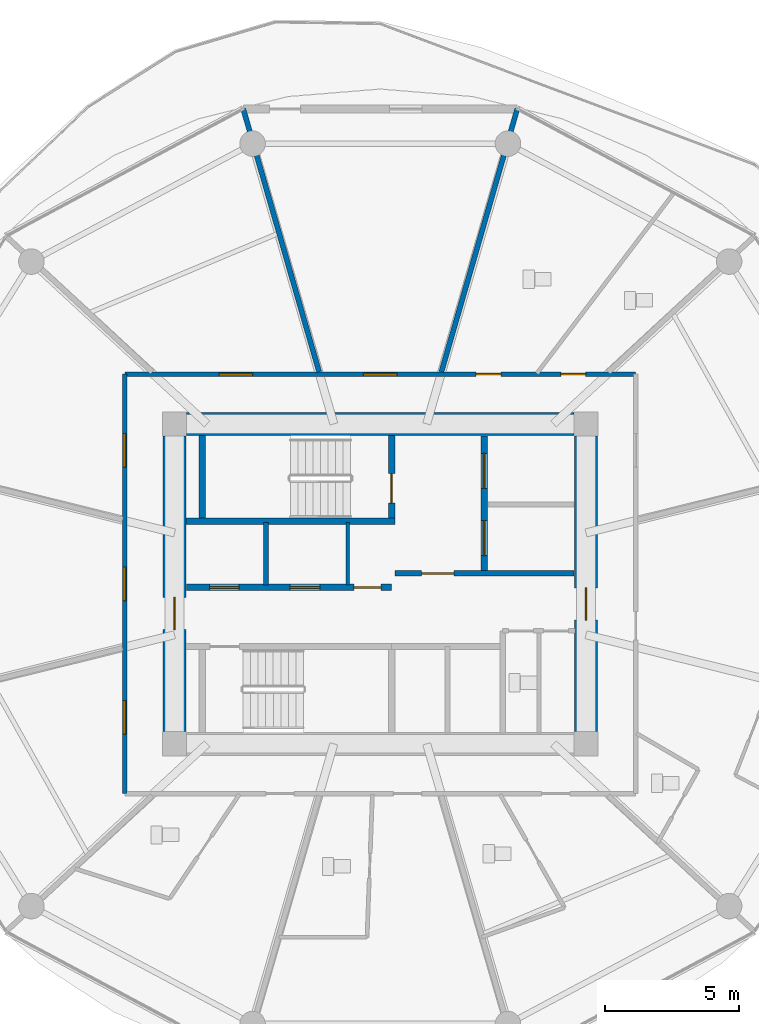
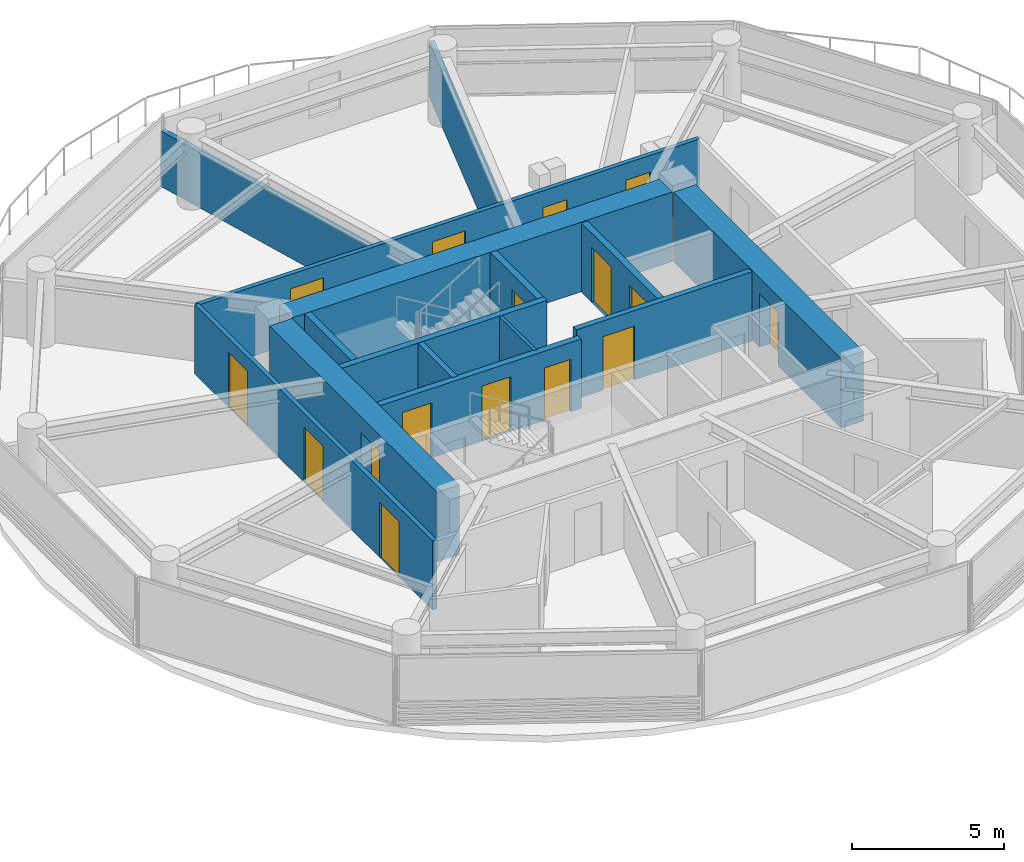
# One storey, part 19 of 27: 16 doors, 15 walls, 16 openings.
"""IFC4 building model written with IfcOpenShell, lengths in metres."""

from ifc_helpers import new_model, si_unit, direction, frame, frame_2d, origin, place, context, subcontext, project, spatial, rectangle, extrude, source, transform, mapped, material, layer, layer_set, type_object, type_shapes, element, fill, save


model = new_model("IFC4")

# Units and contexts
model_context = context("Model", 3, precision=1e-05, world=origin(), true_north=direction((0.0, 1.0)))
body_context = subcontext(model_context, "Body", "Model", "MODEL_VIEW")
ifc_project = project(units=[si_unit("LENGTHUNIT", "METRE"), si_unit("AREAUNIT", "SQUARE_METRE"), si_unit("VOLUMEUNIT", "CUBIC_METRE"), si_unit("PLANEANGLEUNIT", "RADIAN"), si_unit("MASSUNIT", "GRAM", prefix="KILO")], contexts=[model_context])

# Site, building, storey
site_placement = place(None, origin())
site = spatial("IfcSite", under=ifc_project, at=site_placement, CompositionType="ELEMENT")
building_placement = place(site_placement, origin())
building = spatial("IfcBuilding", under=site, at=building_placement, Name="Norrkilde Senior Care Towers", CompositionType="ELEMENT")
storey_placement = place(building_placement, frame((0.0, 0.0, 52.10009765625)))
storey = spatial("IfcBuildingStorey", under=building, at=storey_placement, Name="L15", CompositionType="ELEMENT", Elevation=52.10009765625)

# Wall
ifc_material_1 = material(Name="Concrete C60/75", Category="concrete")
ifc_layer_1 = layer(ifc_material_1, 0.85009765625)
ifc_layer_set_1 = layer_set([ifc_layer_1], Name="Concrete C60/75")
wall_type_1 = type_object("IfcWallType", Name="Core Shear Wall Z1 850", PredefinedType="SHEAR", material=ifc_layer_set_1)
shared_shape_1 = source(origin(), body_context, "Body", "SweptSolid", [
    extrude(rectangle(XDim=14.39990234375, YDim=0.85009765625, at=frame_2d((7.199951171875, 0.0))), origin(), (0.0, 0.0, 1.0), 2.789794921875),
])
wall_1_placement = place(storey_placement, frame((20.800048828125, 5.949951171875, 0.0), z_axis=(0.0, 0.0, 1.0), x_axis=(1.0, 0.0, 0.0)))
element("IfcWall", 1, at=wall_1_placement, inside=storey, type_object=wall_type_1, Name="L15 Core E North Shear Wall", PredefinedType="SHEAR", context=body_context, shape_type="MappedRepresentation", body=[
    mapped(shared_shape_1, transform((0.0, 0.0, 0.0), x_axis=(1.0, 0.0, 0.0), y_axis=(0.0, 1.0, 0.0), z_axis=(0.0, 0.0, 1.0), scale=1.0)),
])

# Wall, opening, door
shared_shape_2 = source(origin(), body_context, "Body", "SweptSolid", [
    extrude(rectangle(XDim=11.0, YDim=0.85009765625, at=frame_2d((5.5, 0.0))), origin(), (0.0, 0.0, 1.0), 2.789794921875),
])
type_shapes(wall_type_1, [shared_shape_1, shared_shape_2])
wall_2_placement = place(storey_placement, frame((20.35009765625, -5.5, 0.0), z_axis=(0.0, 0.0, 1.0), x_axis=(0.0, 1.0, 0.0)))
wall_2 = element("IfcWall", 2, at=wall_2_placement, inside=storey, type_object=wall_type_1, Name="L15 Core E West Shear Wall", PredefinedType="SHEAR", context=body_context, shape_type="MappedRepresentation", body=[
    mapped(shared_shape_2, transform((0.0, 0.0, 0.0), x_axis=(1.0, 0.0, 0.0), y_axis=(0.0, 1.0, 0.0), z_axis=(0.0, 0.0, 1.0), scale=1.0)),
])
opening_1_placement = place(wall_2_placement, frame((3.800048828125, 0.0, 0.0)))
opening_1 = element("IfcOpeningElement", 3, at=opening_1_placement, cuts=wall_2, Name="Opening D-04", PredefinedType="OPENING", context=body_context, shape_type="SweptSolid", body=[
    extrude(rectangle(XDim=1.199951171875, YDim=2.14990234375, at=frame_2d((0.60009765625, 1.074951171875))), frame((0.0, 0.43505859375, 0.0), z_axis=(0.0, -1.0, 0.0), x_axis=(1.0, 0.0, 0.0)), (0.0, 0.0, 1.0), 0.8701171875),
])
ifc_material_2 = material(Name="Galvanised Painted Steel", Category="steel")
door_type_1 = type_object("IfcDoorType", Name="Firefighting Lobby Fire Door 1200x2150", OperationType="NOTDEFINED", PredefinedType="DOOR", material=ifc_material_2)
shared_shape_3 = source(origin(), body_context, "Body", "SweptSolid", [
    extrude(rectangle(XDim=1.199951171875, YDim=2.14990234375, at=frame_2d((0.60009765625, 1.074951171875))), frame((0.0, 0.02490234375, 0.0), z_axis=(0.0, -1.0, 0.0), x_axis=(1.0, 0.0, 0.0)), (0.0, 0.0, 1.0), 0.050048828125),
])
type_shapes(door_type_1, [shared_shape_3])
door_1_placement = place(opening_1_placement, frame((1.199951171875, 0.0, 0.0), z_axis=(0.0, 0.0, 1.0), x_axis=(-1.0, 0.0, 0.0)))
door_1 = element("IfcDoor", 4, at=door_1_placement, inside=storey, type_object=door_type_1, Name="L15 Core E West Portal Door", OperationType="SINGLE_SWING_LEFT", OverallHeight=2.14990234375, OverallWidth=1.199951171875, PredefinedType="DOOR", context=body_context, shape_type="MappedRepresentation", body=[
    mapped(shared_shape_3, transform((0.0, 0.0, 0.0), x_axis=(1.0, 0.0, 0.0), y_axis=(0.0, 1.0, 0.0), z_axis=(0.0, 0.0, 1.0), scale=1.0)),
])
fill(opening_1, door_1)

wall_3_placement = place(storey_placement, frame((35.64990234375, 5.5, 0.0), z_axis=(0.0, 0.0, 1.0), x_axis=(0.0, -1.0, 0.0)))
wall_3 = element("IfcWall", 5, at=wall_3_placement, inside=storey, type_object=wall_type_1, Name="L15 Core E East Shear Wall", PredefinedType="SHEAR", context=body_context, shape_type="MappedRepresentation", body=[
    mapped(shared_shape_2, transform((0.0, 0.0, 0.0), x_axis=(1.0, 0.0, 0.0), y_axis=(0.0, 1.0, 0.0), z_axis=(0.0, 0.0, 1.0), scale=1.0)),
])
opening_2_placement = place(wall_3_placement, frame((5.64990234375, 0.0, 0.0)))
opening_2 = element("IfcOpeningElement", 6, at=opening_2_placement, cuts=wall_3, Name="Opening D-04", PredefinedType="OPENING", context=body_context, shape_type="SweptSolid", body=[
    extrude(rectangle(XDim=1.199951171875, YDim=2.14990234375, at=frame_2d((0.60009765625, 1.074951171875))), frame((0.0, 0.43505859375, 0.0), z_axis=(0.0, -1.0, 0.0), x_axis=(1.0, 0.0, 0.0)), (0.0, 0.0, 1.0), 0.8701171875),
])
door_2_placement = place(opening_2_placement, frame((1.199951171875, 0.0, 0.0), z_axis=(0.0, 0.0, 1.0), x_axis=(-1.0, 0.0, 0.0)))
door_2 = element("IfcDoor", 7, at=door_2_placement, inside=storey, type_object=door_type_1, Name="L15 Core E East Portal Door", OperationType="SINGLE_SWING_RIGHT", OverallHeight=2.14990234375, OverallWidth=1.199951171875, PredefinedType="DOOR", context=body_context, shape_type="MappedRepresentation", body=[
    mapped(shared_shape_3, transform((0.0, 0.0, 0.0), x_axis=(1.0, 0.0, 0.0), y_axis=(0.0, 1.0, 0.0), z_axis=(0.0, 0.0, 1.0), scale=1.0)),
])
fill(opening_2, door_2)

# Walls
ifc_material_3 = material(Name="Concrete C45/55", Category="concrete")
ifc_layer_2 = layer(ifc_material_3, 0.239990234375)
ifc_layer_set_2 = layer_set([ifc_layer_2], Name="Concrete C45/55")
wall_type_2 = type_object("IfcWallType", Name="Shaft and Stair Enclosure Wall 240", PredefinedType="PARTITIONING", material=ifc_layer_set_2)
shared_shape_4 = source(origin(), body_context, "Body", "SweptSolid", [
    extrude(rectangle(XDim=7.76513671875, YDim=0.239990234375, at=frame_2d((3.882568359375, 0.0))), origin(), (0.0, 0.0, 1.0), 2.789794921875),
])
wall_4_placement = place(storey_placement, frame((20.77490234375, 2.330078125, 0.0), z_axis=(0.0, 0.0, 1.0), x_axis=(1.0, 0.0, 0.0)))
element("IfcWall", 8, at=wall_4_placement, inside=storey, type_object=wall_type_2, Name="WL-INT-L15-E-ST1S", PredefinedType="PARTITIONING", context=body_context, shape_type="MappedRepresentation", body=[
    mapped(shared_shape_4, transform((0.0, 0.0, 0.0), x_axis=(1.0, 0.0, 0.0), y_axis=(0.0, 1.0, 0.0), z_axis=(0.0, 0.0, 1.0), scale=1.0)),
])
shared_shape_5 = source(origin(), body_context, "Body", "SweptSolid", [
    extrude(rectangle(XDim=3.074951171875, YDim=0.239990234375, at=frame_2d((1.53759765625, 0.0))), origin(), (0.0, 0.0, 1.0), 2.789794921875),
])
type_shapes(wall_type_2, [shared_shape_4, shared_shape_5])
wall_5_placement = place(storey_placement, frame((21.3798828125, 2.449951171875, 0.0), z_axis=(0.0, 0.0, 1.0), x_axis=(0.0, 1.0, 0.0)))
element("IfcWall", 9, at=wall_5_placement, inside=storey, type_object=wall_type_2, Name="WL-INT-L15-E-ST1W", PredefinedType="PARTITIONING", context=body_context, shape_type="MappedRepresentation", body=[
    mapped(shared_shape_5, transform((0.0, 0.0, 0.0), x_axis=(1.0, 0.0, 0.0), y_axis=(0.0, 1.0, 0.0), z_axis=(0.0, 0.0, 1.0), scale=1.0)),
])

# Wall, opening, door
wall_6_placement = place(storey_placement, frame((28.419921875, 2.449951171875, 0.0), z_axis=(0.0, 0.0, 1.0), x_axis=(0.0, 1.0, 0.0)))
wall_6 = element("IfcWall", 10, at=wall_6_placement, inside=storey, type_object=wall_type_2, Name="WL-INT-L15-E-ST1E", PredefinedType="PARTITIONING", context=body_context, shape_type="MappedRepresentation", body=[
    mapped(shared_shape_5, transform((0.0, 0.0, 0.0), x_axis=(1.0, 0.0, 0.0), y_axis=(0.0, 1.0, 0.0), z_axis=(0.0, 0.0, 1.0), scale=1.0)),
])
opening_3_placement = place(wall_6_placement, frame((0.550048828125, 0.0, 0.0)))
opening_3 = element("IfcOpeningElement", 11, at=opening_3_placement, cuts=wall_6, Name="Opening D-03", PredefinedType="OPENING", context=body_context, shape_type="SweptSolid", body=[
    extrude(rectangle(XDim=1.10009765625, YDim=2.14990234375, at=frame_2d((0.550048828125, 1.074951171875))), frame((0.0, 0.1298828125, 0.0), z_axis=(0.0, -1.0, 0.0), x_axis=(1.0, 0.0, 0.0)), (0.0, 0.0, 1.0), 0.260009765625),
])
door_type_2 = type_object("IfcDoorType", Name="Stairwell Protected Fire Door 1100x2150", OperationType="NOTDEFINED", PredefinedType="DOOR", material=ifc_material_2)
shared_shape_6 = source(origin(), body_context, "Body", "SweptSolid", [
    extrude(rectangle(XDim=1.10009765625, YDim=2.14990234375, at=frame_2d((0.550048828125, 1.074951171875))), frame((0.0, 0.02490234375, 0.0), z_axis=(0.0, -1.0, 0.0), x_axis=(1.0, 0.0, 0.0)), (0.0, 0.0, 1.0), 0.050048828125),
])
type_shapes(door_type_2, [shared_shape_6])
door_3_placement = place(opening_3_placement, origin())
door_3 = element("IfcDoor", 12, at=door_3_placement, inside=storey, type_object=door_type_2, Name="L15 Stair E1 Fire Door", OperationType="SINGLE_SWING_LEFT", OverallHeight=2.14990234375, OverallWidth=1.10009765625, PredefinedType="DOOR", context=body_context, shape_type="MappedRepresentation", body=[
    mapped(shared_shape_6, transform((0.0, 0.0, 0.0), x_axis=(1.0, 0.0, 0.0), y_axis=(0.0, 1.0, 0.0), z_axis=(0.0, 0.0, 1.0), scale=1.0)),
])
fill(opening_3, door_3)

# Wall, openings, doors
ifc_layer_3 = layer(ifc_material_3, 0.239990234375)
ifc_layer_set_3 = layer_set([ifc_layer_3], Name="Concrete C45/55")
wall_type_3 = type_object("IfcWallType", Name="Lift and Plant Rated Enclosure Partition 240", PredefinedType="PARTITIONING", material=ifc_layer_set_3)
shared_shape_7 = source(origin(), body_context, "Body", "SweptSolid", [
    extrude(rectangle(XDim=5.0, YDim=0.239990234375, at=frame_2d((2.5, 0.0))), origin(), (0.0, 0.0, 1.0), 2.77490234375),
])
wall_7_placement = place(storey_placement, frame((31.860107421875, 0.5, 0.0), z_axis=(0.0, 0.0, 1.0), x_axis=(0.0, 1.0, 0.0)))
wall_7 = element("IfcWall", 13, at=wall_7_placement, inside=storey, type_object=wall_type_3, Name="WL-INT-L15-E-FFLE", PredefinedType="PARTITIONING", context=body_context, shape_type="MappedRepresentation", body=[
    mapped(shared_shape_7, transform((0.0, 0.0, 0.0), x_axis=(1.0, 0.0, 0.0), y_axis=(0.0, 1.0, 0.0), z_axis=(0.0, 0.0, 1.0), scale=1.0)),
])
opening_4_placement = place(wall_7_placement, frame((3.050048828125, 0.0, 0.0)))
opening_4 = element("IfcOpeningElement", 14, at=opening_4_placement, cuts=wall_7, Name="Opening LD-02", PredefinedType="OPENING", context=body_context, shape_type="SweptSolid", body=[
    extrude(rectangle(XDim=1.300048828125, YDim=2.199951171875, at=frame_2d((0.64990234375, 1.10009765625))), frame((0.0, 0.1298828125, 0.0), z_axis=(0.0, -1.0, 0.0), x_axis=(1.0, 0.0, 0.0)), (0.0, 0.0, 1.0), 0.260009765625),
])
opening_5_placement = place(wall_7_placement, frame((0.550048828125, 0.0, 0.0)))
opening_5 = element("IfcOpeningElement", 15, at=opening_5_placement, cuts=wall_7, Name="Opening LD-02", PredefinedType="OPENING", context=body_context, shape_type="SweptSolid", body=[
    extrude(rectangle(XDim=1.300048828125, YDim=2.199951171875, at=frame_2d((0.64990234375, 1.10009765625))), frame((0.0, 0.1298828125, 0.0), z_axis=(0.0, -1.0, 0.0), x_axis=(1.0, 0.0, 0.0)), (0.0, 0.0, 1.0), 0.260009765625),
])
ifc_material_4 = material(Name="Stainless Steel", Category="steel")
door_type_3 = type_object("IfcDoorType", Name="Stretcher and FFL Landing Sliding Door 1300x2200", OperationType="NOTDEFINED", PredefinedType="DOOR", material=ifc_material_4)
shared_shape_8 = source(origin(), body_context, "Body", "SweptSolid", [
    extrude(rectangle(XDim=1.300048828125, YDim=2.199951171875, at=frame_2d((0.64990234375, 1.10009765625))), frame((0.0, 0.02490234375, 0.0), z_axis=(0.0, -1.0, 0.0), x_axis=(1.0, 0.0, 0.0)), (0.0, 0.0, 1.0), 0.050048828125),
])
type_shapes(door_type_3, [shared_shape_8])
door_4_placement = place(opening_4_placement, origin())
door_4 = element("IfcDoor", 16, at=door_4_placement, inside=storey, type_object=door_type_3, Name="L15 Firefighting Lift E1 Landing Door", OperationType="SLIDING_TO_LEFT", OverallHeight=2.199951171875, OverallWidth=1.300048828125, PredefinedType="DOOR", context=body_context, shape_type="MappedRepresentation", body=[
    mapped(shared_shape_8, transform((0.0, 0.0, 0.0), x_axis=(1.0, 0.0, 0.0), y_axis=(0.0, 1.0, 0.0), z_axis=(0.0, 0.0, 1.0), scale=1.0)),
])
fill(opening_4, door_4)
door_5_placement = place(opening_5_placement, origin())
door_5 = element("IfcDoor", 17, at=door_5_placement, inside=storey, type_object=door_type_3, Name="L15 Stretcher Lift E1 Landing Door", OperationType="SLIDING_TO_RIGHT", OverallHeight=2.199951171875, OverallWidth=1.300048828125, PredefinedType="DOOR", context=body_context, shape_type="MappedRepresentation", body=[
    mapped(shared_shape_8, transform((0.0, 0.0, 0.0), x_axis=(1.0, 0.0, 0.0), y_axis=(0.0, 1.0, 0.0), z_axis=(0.0, 0.0, 1.0), scale=1.0)),
])
fill(opening_5, door_5)

# Wall, opening, door
ifc_layer_4 = layer(ifc_material_3, 0.2099609375)
ifc_layer_set_4 = layer_set([ifc_layer_4], Name="Concrete C45/55")
wall_type_4 = type_object("IfcWallType", Name="Firefighting Lobby Wall 210", PredefinedType="PARTITIONING", material=ifc_layer_set_4)
shared_shape_9 = source(origin(), body_context, "Body", "SweptSolid", [
    extrude(rectangle(XDim=6.659912109375, YDim=0.2099609375, at=frame_2d((3.330078125, 0.0))), origin(), (0.0, 0.0, 1.0), 2.77490234375),
])
type_shapes(wall_type_4, [shared_shape_9])
wall_8_placement = place(storey_placement, frame((28.5400390625, 0.389892578125, 0.0), z_axis=(0.0, 0.0, 1.0), x_axis=(1.0, 0.0, 0.0)))
wall_8 = element("IfcWall", 18, at=wall_8_placement, inside=storey, type_object=wall_type_4, Name="WL-INT-L15-E-FFLS", PredefinedType="PARTITIONING", context=body_context, shape_type="MappedRepresentation", body=[
    mapped(shared_shape_9, transform((0.0, 0.0, 0.0), x_axis=(1.0, 0.0, 0.0), y_axis=(0.0, 1.0, 0.0), z_axis=(0.0, 0.0, 1.0), scale=1.0)),
])
opening_6_placement = place(wall_8_placement, frame((1.0, 0.0, 0.0)))
opening_6 = element("IfcOpeningElement", 19, at=opening_6_placement, cuts=wall_8, Name="Opening D-04", PredefinedType="OPENING", context=body_context, shape_type="SweptSolid", body=[
    extrude(rectangle(XDim=1.199951171875, YDim=2.14990234375, at=frame_2d((0.60009765625, 1.074951171875))), frame((0.0, 0.114990234375, 0.0), z_axis=(0.0, -1.0, 0.0), x_axis=(1.0, 0.0, 0.0)), (0.0, 0.0, 1.0), 0.22998046875),
])
door_6_placement = place(opening_6_placement, frame((1.199951171875, 0.0, 0.0), z_axis=(0.0, 0.0, 1.0), x_axis=(-1.0, 0.0, 0.0)))
door_6 = element("IfcDoor", 20, at=door_6_placement, inside=storey, type_object=door_type_1, Name="L15 Firefighting Lobby E Door", OperationType="SINGLE_SWING_LEFT", OverallHeight=2.14990234375, OverallWidth=1.199951171875, PredefinedType="DOOR", context=body_context, shape_type="MappedRepresentation", body=[
    mapped(shared_shape_3, transform((0.0, 0.0, 0.0), x_axis=(1.0, 0.0, 0.0), y_axis=(0.0, 1.0, 0.0), z_axis=(0.0, 0.0, 1.0), scale=1.0)),
])
fill(opening_6, door_6)

# Wall, openings, doors
shared_shape_10 = source(origin(), body_context, "Body", "SweptSolid", [
    extrude(rectangle(XDim=7.619873046875, YDim=0.239990234375, at=frame_2d((3.81005859375, 0.0))), origin(), (0.0, 0.0, 1.0), 2.77490234375),
])
type_shapes(wall_type_3, [shared_shape_7, shared_shape_10])
wall_9_placement = place(storey_placement, frame((20.800048828125, -0.1298828125, 0.0), z_axis=(0.0, 0.0, 1.0), x_axis=(1.0, 0.0, 0.0)))
wall_9 = element("IfcWall", 21, at=wall_9_placement, inside=storey, type_object=wall_type_3, Name="WL-INT-L15-E-PKAS", PredefinedType="PARTITIONING", context=body_context, shape_type="MappedRepresentation", body=[
    mapped(shared_shape_10, transform((0.0, 0.0, 0.0), x_axis=(1.0, 0.0, 0.0), y_axis=(0.0, 1.0, 0.0), z_axis=(0.0, 0.0, 1.0), scale=1.0)),
])
opening_7_placement = place(wall_9_placement, frame((6.219970703125, 0.0, 0.0)))
opening_7 = element("IfcOpeningElement", 22, at=opening_7_placement, cuts=wall_9, Name="Opening D-10", PredefinedType="OPENING", context=body_context, shape_type="SweptSolid", body=[
    extrude(rectangle(XDim=1.0, YDim=2.10009765625, at=frame_2d((0.5, 1.050048828125))), frame((0.0, 0.1298828125, 0.0), z_axis=(0.0, -1.0, 0.0), x_axis=(1.0, 0.0, 0.0)), (0.0, 0.0, 1.0), 0.260009765625),
])
opening_8_placement = place(wall_9_placement, frame((0.85009765625, 0.0, 0.0)))
opening_8 = element("IfcOpeningElement", 23, at=opening_8_placement, cuts=wall_9, Name="Opening LD-01", PredefinedType="OPENING", context=body_context, shape_type="SweptSolid", body=[
    extrude(rectangle(XDim=1.10009765625, YDim=2.199951171875, at=frame_2d((0.550048828125, 1.10009765625))), frame((0.0, 0.1298828125, 0.0), z_axis=(0.0, -1.0, 0.0), x_axis=(1.0, 0.0, 0.0)), (0.0, 0.0, 1.0), 0.260009765625),
])
opening_9_placement = place(wall_9_placement, frame((3.85009765625, 0.0, 0.0)))
opening_9 = element("IfcOpeningElement", 24, at=opening_9_placement, cuts=wall_9, Name="Opening LD-01", PredefinedType="OPENING", context=body_context, shape_type="SweptSolid", body=[
    extrude(rectangle(XDim=1.10009765625, YDim=2.199951171875, at=frame_2d((0.550048828125, 1.10009765625))), frame((0.0, 0.1298828125, 0.0), z_axis=(0.0, -1.0, 0.0), x_axis=(1.0, 0.0, 0.0)), (0.0, 0.0, 1.0), 0.260009765625),
])
door_type_4 = type_object("IfcDoorType", Name="Plant and Riser Rated Door 1000x2100", OperationType="NOTDEFINED", PredefinedType="DOOR", material=ifc_material_2)
shared_shape_11 = source(origin(), body_context, "Body", "SweptSolid", [
    extrude(rectangle(XDim=1.0, YDim=2.10009765625, at=frame_2d((0.5, 1.050048828125))), frame((0.0, 0.02490234375, 0.0), z_axis=(0.0, -1.0, 0.0), x_axis=(1.0, 0.0, 0.0)), (0.0, 0.0, 1.0), 0.050048828125),
])
type_shapes(door_type_4, [shared_shape_11])
door_7_placement = place(opening_7_placement, frame((1.0, 0.0, 0.0), z_axis=(0.0, 0.0, 1.0), x_axis=(-1.0, 0.0, 0.0)))
door_7 = element("IfcDoor", 25, at=door_7_placement, inside=storey, type_object=door_type_4, Name="L15 Electrical Riser E Door", OperationType="SINGLE_SWING_LEFT", OverallHeight=2.10009765625, OverallWidth=1.0, PredefinedType="DOOR", context=body_context, shape_type="MappedRepresentation", body=[
    mapped(shared_shape_11, transform((0.0, 0.0, 0.0), x_axis=(1.0, 0.0, 0.0), y_axis=(0.0, 1.0, 0.0), z_axis=(0.0, 0.0, 1.0), scale=1.0)),
])
fill(opening_7, door_7)
door_type_5 = type_object("IfcDoorType", Name="Lift Landing Sliding Door 1100x2200", OperationType="NOTDEFINED", PredefinedType="DOOR", material=ifc_material_4)
shared_shape_12 = source(origin(), body_context, "Body", "SweptSolid", [
    extrude(rectangle(XDim=1.10009765625, YDim=2.199951171875, at=frame_2d((0.550048828125, 1.10009765625))), frame((0.0, 0.02490234375, 0.0), z_axis=(0.0, -1.0, 0.0), x_axis=(1.0, 0.0, 0.0)), (0.0, 0.0, 1.0), 0.050048828125),
])
type_shapes(door_type_5, [shared_shape_12])
door_8_placement = place(opening_8_placement, origin())
door_8 = element("IfcDoor", 26, at=door_8_placement, inside=storey, type_object=door_type_5, Name="L15 Passenger Lift E1 Landing Door", OperationType="SLIDING_TO_LEFT", OverallHeight=2.199951171875, OverallWidth=1.10009765625, PredefinedType="DOOR", context=body_context, shape_type="MappedRepresentation", body=[
    mapped(shared_shape_12, transform((0.0, 0.0, 0.0), x_axis=(1.0, 0.0, 0.0), y_axis=(0.0, 1.0, 0.0), z_axis=(0.0, 0.0, 1.0), scale=1.0)),
])
fill(opening_8, door_8)
door_9_placement = place(opening_9_placement, origin())
door_9 = element("IfcDoor", 27, at=door_9_placement, inside=storey, type_object=door_type_5, Name="L15 Passenger Lift E2 Landing Door", OperationType="SLIDING_TO_RIGHT", OverallHeight=2.199951171875, OverallWidth=1.10009765625, PredefinedType="DOOR", context=body_context, shape_type="MappedRepresentation", body=[
    mapped(shared_shape_12, transform((0.0, 0.0, 0.0), x_axis=(1.0, 0.0, 0.0), y_axis=(0.0, 1.0, 0.0), z_axis=(0.0, 0.0, 1.0), scale=1.0)),
])
fill(opening_9, door_9)

# Walls
ifc_material_5 = material(Name="Gypsum Acoustic Board")
ifc_layer_5 = layer(ifc_material_5, 0.114990234375)
ifc_layer_set_5 = layer_set([ifc_layer_5], Name="Gypsum Acoustic Board")
wall_type_5 = type_object("IfcWallType", Name="Internal Room Partition 115", PredefinedType="PARTITIONING", material=ifc_layer_set_5)
shared_shape_13 = source(origin(), body_context, "Body", "SweptSolid", [
    extrude(rectangle(XDim=2.330078125, YDim=0.114990234375, at=frame_2d((1.1650390625, 0.0))), origin(), (0.0, 0.0, 1.0), 2.77490234375),
])
type_shapes(wall_type_5, [shared_shape_13])
wall_10_placement = place(storey_placement, frame((26.7900390625, -0.050048828125, 0.0), z_axis=(0.0, 0.0, 1.0), x_axis=(0.0, 1.0, 0.0)))
element("IfcWall", 28, at=wall_10_placement, inside=storey, type_object=wall_type_5, Name="WL-INT-L15-E-RISW", PredefinedType="PARTITIONING", context=body_context, shape_type="MappedRepresentation", body=[
    mapped(shared_shape_13, transform((0.0, 0.0, 0.0), x_axis=(1.0, 0.0, 0.0), y_axis=(0.0, 1.0, 0.0), z_axis=(0.0, 0.0, 1.0), scale=1.0)),
])
ifc_layer_6 = layer(ifc_material_3, 0.199951171875)
ifc_layer_set_6 = layer_set([ifc_layer_6], Name="Concrete C45/55")
wall_type_6 = type_object("IfcWallType", Name="Shaft Division and Plant Partition 200", PredefinedType="PARTITIONING", material=ifc_layer_set_6)
shared_shape_14 = source(origin(), body_context, "Body", "SweptSolid", [
    extrude(rectangle(XDim=2.330078125, YDim=0.199951171875, at=frame_2d((1.1650390625, 0.0))), origin(), (0.0, 0.0, 1.0), 2.77490234375),
])
type_shapes(wall_type_6, [shared_shape_14])
wall_11_placement = place(storey_placement, frame((23.75, -0.050048828125, 0.0), z_axis=(0.0, 0.0, 1.0), x_axis=(0.0, 1.0, 0.0)))
element("IfcWall", 29, at=wall_11_placement, inside=storey, type_object=wall_type_6, Name="WL-INT-L15-E-PL12", PredefinedType="PARTITIONING", context=body_context, shape_type="MappedRepresentation", body=[
    mapped(shared_shape_14, transform((0.0, 0.0, 0.0), x_axis=(1.0, 0.0, 0.0), y_axis=(0.0, 1.0, 0.0), z_axis=(0.0, 0.0, 1.0), scale=1.0)),
])

# Wall, openings, doors
ifc_layer_7 = layer(ifc_material_5, 0.1650390625)
ifc_layer_set_7 = layer_set([ifc_layer_7], Name="Gypsum Acoustic Board")
wall_type_7 = type_object("IfcWallType", Name="Corridor Rated Partition 165", PredefinedType="PARTITIONING", material=ifc_layer_set_7)
shared_shape_15 = source(origin(), body_context, "Body", "SweptSolid", [
    extrude(rectangle(XDim=19.0, YDim=0.1650390625, at=frame_2d((9.5, 0.0))), origin(), (0.0, 0.0, 1.0), 2.77490234375),
])
wall_12_placement = place(storey_placement, frame((18.5, 7.800048828125, 0.0), z_axis=(0.0, 0.0, 1.0), x_axis=(1.0, 0.0, 0.0)))
wall_12 = element("IfcWall", 30, at=wall_12_placement, inside=storey, type_object=wall_type_7, Name="WL-INT-L15-E-CRW-N-0", PredefinedType="PARTITIONING", context=body_context, shape_type="MappedRepresentation", body=[
    mapped(shared_shape_15, transform((0.0, 0.0, 0.0), x_axis=(1.0, 0.0, 0.0), y_axis=(0.0, 1.0, 0.0), z_axis=(0.0, 0.0, 1.0), scale=1.0)),
])
opening_10_placement = place(wall_12_placement, frame((16.213623046875, 0.0, 0.0)))
opening_10 = element("IfcOpeningElement", 31, at=opening_10_placement, cuts=wall_12, Name="Opening D-08", PredefinedType="OPENING", context=body_context, shape_type="SweptSolid", body=[
    extrude(rectangle(XDim=0.919921875, YDim=2.10009765625, at=frame_2d((0.4599609375, 1.050048828125))), frame((0.0, 0.092529296875, 0.0), z_axis=(0.0, -1.0, 0.0), x_axis=(1.0, 0.0, 0.0)), (0.0, 0.0, 1.0), 0.18505859375),
])
opening_11_placement = place(wall_12_placement, frame((13.062744140625, 0.0, 0.0)))
opening_11 = element("IfcOpeningElement", 32, at=opening_11_placement, cuts=wall_12, Name="Opening D-08", PredefinedType="OPENING", context=body_context, shape_type="SweptSolid", body=[
    extrude(rectangle(XDim=0.919921875, YDim=2.10009765625, at=frame_2d((0.4599609375, 1.050048828125))), frame((0.0, 0.092529296875, 0.0), z_axis=(0.0, -1.0, 0.0), x_axis=(1.0, 0.0, 0.0)), (0.0, 0.0, 1.0), 0.18505859375),
])
opening_12_placement = place(wall_12_placement, frame((8.875, 0.0, 0.0)))
opening_12 = element("IfcOpeningElement", 33, at=opening_12_placement, cuts=wall_12, Name="Opening D-05", PredefinedType="OPENING", context=body_context, shape_type="SweptSolid", body=[
    extrude(rectangle(XDim=1.25, YDim=2.199951171875, at=frame_2d((0.625, 1.10009765625))), frame((0.0, 0.092529296875, 0.0), z_axis=(0.0, -1.0, 0.0), x_axis=(1.0, 0.0, 0.0)), (0.0, 0.0, 1.0), 0.18505859375),
])
opening_13_placement = place(wall_12_placement, frame((3.505615234375, 0.0, 0.0)))
opening_13 = element("IfcOpeningElement", 34, at=opening_13_placement, cuts=wall_12, Name="Opening D-05", PredefinedType="OPENING", context=body_context, shape_type="SweptSolid", body=[
    extrude(rectangle(XDim=1.25, YDim=2.199951171875, at=frame_2d((0.625, 1.10009765625))), frame((0.0, 0.092529296875, 0.0), z_axis=(0.0, -1.0, 0.0), x_axis=(1.0, 0.0, 0.0)), (0.0, 0.0, 1.0), 0.18505859375),
])
ifc_material_6 = material(Name="Nordic Ash Timber", Category="wood")
door_type_6 = type_object("IfcDoorType", Name="Care Bedroom Bariatric Door 1250x2200", OperationType="NOTDEFINED", PredefinedType="DOOR", material=ifc_material_6)
shared_shape_16 = source(origin(), body_context, "Body", "SweptSolid", [
    extrude(rectangle(XDim=1.25, YDim=2.199951171875, at=frame_2d((0.625, 1.10009765625))), frame((0.0, 0.02490234375, 0.0), z_axis=(0.0, -1.0, 0.0), x_axis=(1.0, 0.0, 0.0)), (0.0, 0.0, 1.0), 0.050048828125),
])
type_shapes(door_type_6, [shared_shape_16])
door_10_placement = place(opening_12_placement, frame((1.25, 0.0, 0.0), z_axis=(0.0, 0.0, 1.0), x_axis=(-1.0, 0.0, 0.0)))
door_10 = element("IfcDoor", 35, at=door_10_placement, inside=storey, type_object=door_type_6, Name="L15 Care Coordination Charting Office Door", OperationType="SINGLE_SWING_LEFT", OverallHeight=2.199951171875, OverallWidth=1.25, PredefinedType="DOOR", context=body_context, shape_type="MappedRepresentation", body=[
    mapped(shared_shape_16, transform((0.0, 0.0, 0.0), x_axis=(1.0, 0.0, 0.0), y_axis=(0.0, 1.0, 0.0), z_axis=(0.0, 0.0, 1.0), scale=1.0)),
])
fill(opening_12, door_10)
door_11_placement = place(opening_13_placement, frame((1.25, 0.0, 0.0), z_axis=(0.0, 0.0, 1.0), x_axis=(-1.0, 0.0, 0.0)))
door_11 = element("IfcDoor", 36, at=door_11_placement, inside=storey, type_object=door_type_6, Name="L15 Resident Family Conference Room Door", OperationType="SINGLE_SWING_RIGHT", OverallHeight=2.199951171875, OverallWidth=1.25, PredefinedType="DOOR", context=body_context, shape_type="MappedRepresentation", body=[
    mapped(shared_shape_16, transform((0.0, 0.0, 0.0), x_axis=(1.0, 0.0, 0.0), y_axis=(0.0, 1.0, 0.0), z_axis=(0.0, 0.0, 1.0), scale=1.0)),
])
fill(opening_13, door_11)
door_type_7 = type_object("IfcDoorType", Name="Accessible Wet Room Door 920x2100", OperationType="NOTDEFINED", PredefinedType="DOOR", material=ifc_material_6)
shared_shape_17 = source(origin(), body_context, "Body", "SweptSolid", [
    extrude(rectangle(XDim=0.919921875, YDim=2.10009765625, at=frame_2d((0.4599609375, 1.050048828125))), frame((0.0, 0.02490234375, 0.0), z_axis=(0.0, -1.0, 0.0), x_axis=(1.0, 0.0, 0.0)), (0.0, 0.0, 1.0), 0.050048828125),
])
type_shapes(door_type_7, [shared_shape_17])
door_12_placement = place(opening_10_placement, frame((0.919921875, 0.0, 0.0), z_axis=(0.0, 0.0, 1.0), x_axis=(-1.0, 0.0, 0.0)))
door_12 = element("IfcDoor", 37, at=door_12_placement, inside=storey, type_object=door_type_7, Name="L15 Accessible Restroom Door", OperationType="SINGLE_SWING_RIGHT", OverallHeight=2.10009765625, OverallWidth=0.919921875, PredefinedType="DOOR", context=body_context, shape_type="MappedRepresentation", body=[
    mapped(shared_shape_17, transform((0.0, 0.0, 0.0), x_axis=(1.0, 0.0, 0.0), y_axis=(0.0, 1.0, 0.0), z_axis=(0.0, 0.0, 1.0), scale=1.0)),
])
fill(opening_10, door_12)
door_13_placement = place(opening_11_placement, frame((0.919921875, 0.0, 0.0), z_axis=(0.0, 0.0, 1.0), x_axis=(-1.0, 0.0, 0.0)))
door_13 = element("IfcDoor", 38, at=door_13_placement, inside=storey, type_object=door_type_7, Name="L15 Public Restroom Door", OperationType="SINGLE_SWING_LEFT", OverallHeight=2.10009765625, OverallWidth=0.919921875, PredefinedType="DOOR", context=body_context, shape_type="MappedRepresentation", body=[
    mapped(shared_shape_17, transform((0.0, 0.0, 0.0), x_axis=(1.0, 0.0, 0.0), y_axis=(0.0, 1.0, 0.0), z_axis=(0.0, 0.0, 1.0), scale=1.0)),
])
fill(opening_11, door_13)

shared_shape_18 = source(origin(), body_context, "Body", "SweptSolid", [
    extrude(rectangle(XDim=15.60009765625, YDim=0.1650390625, at=frame_2d((7.800048828125, 0.0))), origin(), (0.0, 0.0, 1.0), 2.77490234375),
])
type_shapes(wall_type_7, [shared_shape_15, shared_shape_18])
wall_13_placement = place(storey_placement, frame((18.5, -7.800048828125, 0.0), z_axis=(0.0, 0.0, 1.0), x_axis=(0.0, 1.0, 0.0)))
wall_13 = element("IfcWall", 39, at=wall_13_placement, inside=storey, type_object=wall_type_7, Name="WL-INT-L15-E-CRW-W-0", PredefinedType="PARTITIONING", context=body_context, shape_type="MappedRepresentation", body=[
    mapped(shared_shape_18, transform((0.0, 0.0, 0.0), x_axis=(1.0, 0.0, 0.0), y_axis=(0.0, 1.0, 0.0), z_axis=(0.0, 0.0, 1.0), scale=1.0)),
])
opening_14_placement = place(wall_13_placement, frame((12.141357421875, 0.0, 0.0)))
opening_14 = element("IfcOpeningElement", 40, at=opening_14_placement, cuts=wall_13, Name="Opening D-05", PredefinedType="OPENING", context=body_context, shape_type="SweptSolid", body=[
    extrude(rectangle(XDim=1.25, YDim=2.199951171875, at=frame_2d((0.625, 1.10009765625))), frame((0.0, 0.092529296875, 0.0), z_axis=(0.0, -1.0, 0.0), x_axis=(1.0, 0.0, 0.0)), (0.0, 0.0, 1.0), 0.18505859375),
])
opening_15_placement = place(wall_13_placement, frame((7.175048828125, 0.0, 0.0)))
opening_15 = element("IfcOpeningElement", 41, at=opening_15_placement, cuts=wall_13, Name="Opening D-05", PredefinedType="OPENING", context=body_context, shape_type="SweptSolid", body=[
    extrude(rectangle(XDim=1.25, YDim=2.199951171875, at=frame_2d((0.625, 1.10009765625))), frame((0.0, 0.092529296875, 0.0), z_axis=(0.0, -1.0, 0.0), x_axis=(1.0, 0.0, 0.0)), (0.0, 0.0, 1.0), 0.18505859375),
])
opening_16_placement = place(wall_13_placement, frame((2.20849609375, 0.0, 0.0)))
opening_16 = element("IfcOpeningElement", 42, at=opening_16_placement, cuts=wall_13, Name="Opening D-05", PredefinedType="OPENING", context=body_context, shape_type="SweptSolid", body=[
    extrude(rectangle(XDim=1.25, YDim=2.199951171875, at=frame_2d((0.625, 1.10009765625))), frame((0.0, 0.092529296875, 0.0), z_axis=(0.0, -1.0, 0.0), x_axis=(1.0, 0.0, 0.0)), (0.0, 0.0, 1.0), 0.18505859375),
])
door_14_placement = place(opening_14_placement, frame((1.25, 0.0, 0.0), z_axis=(0.0, 0.0, 1.0), x_axis=(-1.0, 0.0, 0.0)))
door_14 = element("IfcDoor", 43, at=door_14_placement, inside=storey, type_object=door_type_6, Name="L15 Resident Therapeutic Day Lounge Door", OperationType="SINGLE_SWING_LEFT", OverallHeight=2.199951171875, OverallWidth=1.25, PredefinedType="DOOR", context=body_context, shape_type="MappedRepresentation", body=[
    mapped(shared_shape_16, transform((0.0, 0.0, 0.0), x_axis=(1.0, 0.0, 0.0), y_axis=(0.0, 1.0, 0.0), z_axis=(0.0, 0.0, 1.0), scale=1.0)),
])
fill(opening_14, door_14)
door_15_placement = place(opening_15_placement, frame((1.25, 0.0, 0.0), z_axis=(0.0, 0.0, 1.0), x_axis=(-1.0, 0.0, 0.0)))
door_15 = element("IfcDoor", 44, at=door_15_placement, inside=storey, type_object=door_type_6, Name="L15 Household Communal Dining Salon Door", OperationType="SINGLE_SWING_RIGHT", OverallHeight=2.199951171875, OverallWidth=1.25, PredefinedType="DOOR", context=body_context, shape_type="MappedRepresentation", body=[
    mapped(shared_shape_16, transform((0.0, 0.0, 0.0), x_axis=(1.0, 0.0, 0.0), y_axis=(0.0, 1.0, 0.0), z_axis=(0.0, 0.0, 1.0), scale=1.0)),
])
fill(opening_15, door_15)
door_16_placement = place(opening_16_placement, frame((1.25, 0.0, 0.0), z_axis=(0.0, 0.0, 1.0), x_axis=(-1.0, 0.0, 0.0)))
door_16 = element("IfcDoor", 45, at=door_16_placement, inside=storey, type_object=door_type_6, Name="L15 Household Therapeutic Kitchen Door", OperationType="SINGLE_SWING_LEFT", OverallHeight=2.199951171875, OverallWidth=1.25, PredefinedType="DOOR", context=body_context, shape_type="MappedRepresentation", body=[
    mapped(shared_shape_16, transform((0.0, 0.0, 0.0), x_axis=(1.0, 0.0, 0.0), y_axis=(0.0, 1.0, 0.0), z_axis=(0.0, 0.0, 1.0), scale=1.0)),
])
fill(opening_16, door_16)

# Walls
ifc_layer_8 = layer(ifc_material_5, 0.18994140625)
ifc_layer_set_8 = layer_set([ifc_layer_8], Name="Gypsum Acoustic Board")
wall_type_8 = type_object("IfcWallType", Name="Unit Demising Acoustic Wall 190", PredefinedType="PARTITIONING", material=ifc_layer_set_8)
shared_shape_19 = source(origin(), body_context, "Body", "SweptSolid", [
    extrude(rectangle(XDim=10.196044921875, YDim=0.18994140625, at=frame_2d((5.09814453125, 0.0))), origin(), (0.0, 0.0, 1.0), 2.224853515625),
])
type_shapes(wall_type_8, [shared_shape_19])
for number, where, z_axis, x_axis, name in (
    (46, (30.27294921875, 7.8798828125, 0.0), (0.0, 0.0, 1.0), (0.277136420347, 0.960830580549, 0.0), "WL-INT-L15-E-DEM-02-0"),
    (47, (25.72705078125, 7.8798828125, 0.0), (0.0, 0.0, 1.0), (-0.277136420347, 0.960830580549, 0.0), "WL-INT-L15-E-DEM-03-0"),
):
    element("IfcWall", number, at=place(storey_placement, frame(where, z_axis=z_axis, x_axis=x_axis)), inside=storey, type_object=wall_type_8, Name=name, PredefinedType="PARTITIONING", context=body_context, shape_type="MappedRepresentation", body=[
        mapped(shared_shape_19, transform((0.0, 0.0, 0.0), x_axis=(1.0, 0.0, 0.0), y_axis=(0.0, 1.0, 0.0), z_axis=(0.0, 0.0, 1.0), scale=1.0)),
    ])

save(model, "model.ifc")
